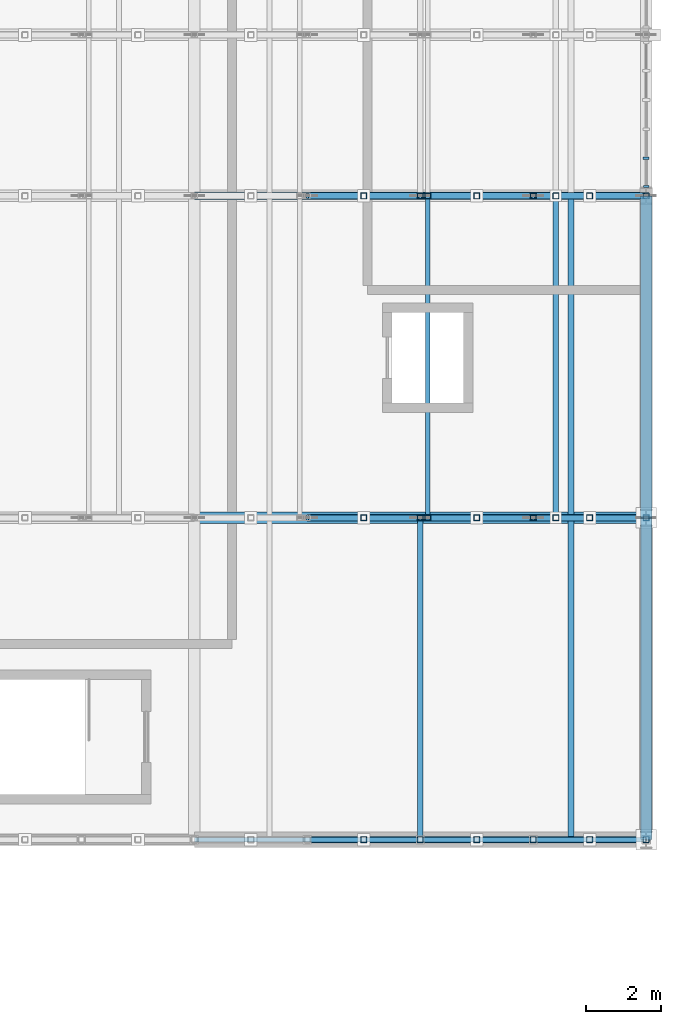
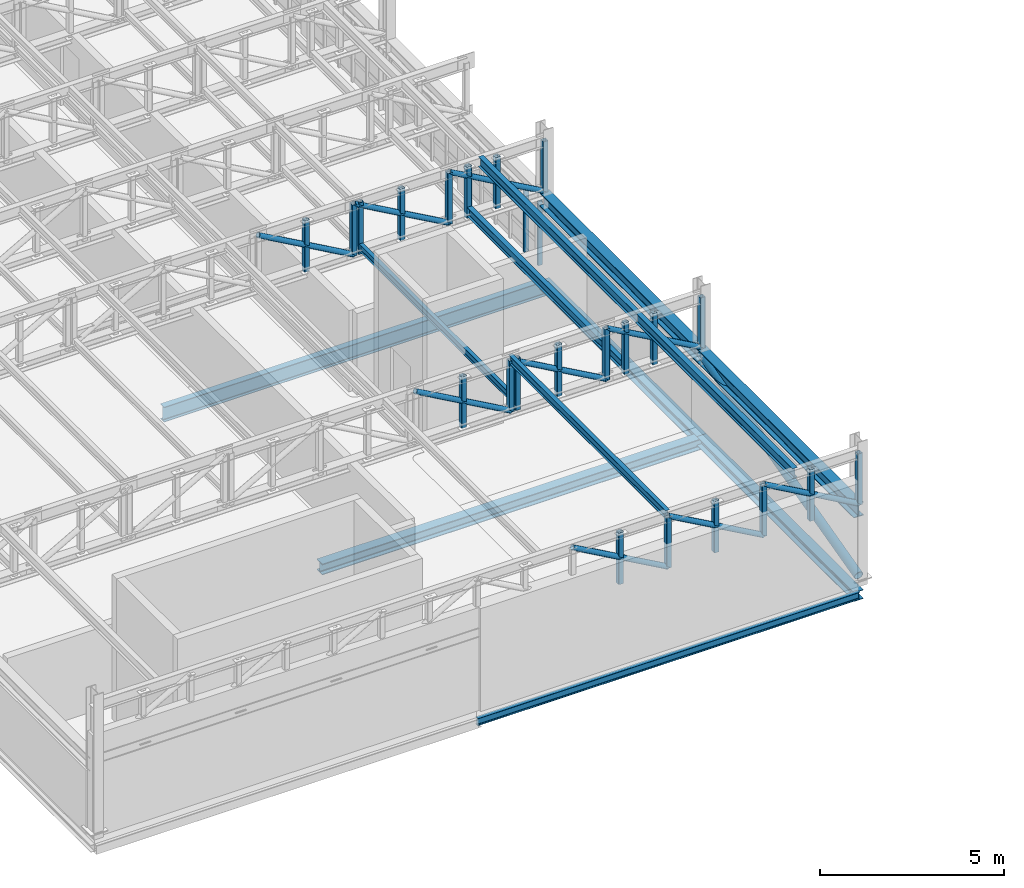
# One storey, part 36 of 128: 39 members, 7 beams, 1 element without a shape of its own.
"""IFC4 building model written with IfcOpenShell, lengths in metres."""

from ifc_helpers import new_model, si_unit, direction, frame, origin, origin_2d, place, context, subcontext, project, spatial, rectangle, hollow_rectangle, hollow_circle, i_section, extrude, material, material_profile, profile_set, type_object, element, aggregate, save


model = new_model("IFC4")

# Units and contexts
model_context = context("Model", 3, precision=1e-05, world=origin(), true_north=direction((0.0, 1.0)))
body_context = subcontext(model_context, "Body", "Model", "MODEL_VIEW")
ifc_project = project(units=[si_unit("LENGTHUNIT", "METRE"), si_unit("AREAUNIT", "SQUARE_METRE"), si_unit("VOLUMEUNIT", "CUBIC_METRE"), si_unit("PLANEANGLEUNIT", "RADIAN"), si_unit("MASSUNIT", "GRAM", prefix="KILO")], contexts=[model_context])

# Site, building, storey
site_placement = place(None, origin())
site = spatial("IfcSite", under=ifc_project, at=site_placement, CompositionType="ELEMENT")
building_placement = place(site_placement, origin())
building = spatial("IfcBuilding", under=site, at=building_placement, Name="Serraforn Aerial Cableway Station", CompositionType="ELEMENT")
storey_placement = place(building_placement, frame((0.0, 0.0, 9.0)))
storey = spatial("IfcBuildingStorey", under=building, at=storey_placement, Name="L02", CompositionType="ELEMENT", Elevation=9.0)

# Beams
ifc_material_1 = material(Name="Steel S355J2", Category="steel")
ifc_material_profile_1 = material_profile(ifc_material_1, i_section(OverallWidth=0.300048828125, OverallDepth=0.300048828125, WebThickness=0.010986328125, FlangeThickness=0.01904296875, FilletRadius=0.027099609375, at=origin_2d()), Name="HEB 300")
ifc_profile_set_1 = profile_set([ifc_material_profile_1], Name="Steel S355J2")
beam_type_1 = type_object("IfcBeamType", Name="BM-ST-HEB300", PredefinedType="BEAM", material=ifc_profile_set_1)
beam_1_placement = place(storey_placement, frame((168.0, 45.60009765625, -0.469970703125), z_axis=(0.0, 1.0, 0.0), x_axis=(-1.0, 0.0, 0.0)))
element("IfcBeam", 1, at=beam_1_placement, inside=storey, type_object=beam_type_1, Name="Grid Girder Y EG L02 X3-1", PredefinedType="BEAM", context=body_context, shape_type="SweptSolid", body=[
    extrude(i_section(OverallWidth=0.300048828125, OverallDepth=0.300048828125, WebThickness=0.010986328125, FlangeThickness=0.01904296875, FilletRadius=0.027099609375, at=origin_2d()), origin(), (0.0, 0.0, 1.0), 8.5498046875),
])
beam_2_placement = place(storey_placement, frame((168.0, 54.14990234375, -0.469970703125), z_axis=(0.0, 1.0, 0.0), x_axis=(-1.0, 0.0, 0.0)))
element("IfcBeam", 2, at=beam_2_placement, inside=storey, type_object=beam_type_1, Name="Grid Girder Y EG L02 X3-2", PredefinedType="BEAM", context=body_context, shape_type="SweptSolid", body=[
    extrude(i_section(OverallWidth=0.300048828125, OverallDepth=0.300048828125, WebThickness=0.010986328125, FlangeThickness=0.01904296875, FilletRadius=0.027099609375, at=origin_2d()), origin(), (0.0, 0.0, 1.0), 8.550048828125),
])
ifc_material_profile_2 = material_profile(ifc_material_1, i_section(OverallWidth=0.300048828125, OverallDepth=0.360107421875, WebThickness=0.012451171875, FlangeThickness=0.0224609375, FilletRadius=0.027099609375, at=origin_2d()), Name="HEB 360")
ifc_profile_set_2 = profile_set([ifc_material_profile_2], Name="Steel S355J2")
beam_type_2 = type_object("IfcBeamType", Name="BM-ST-HEB360", PredefinedType="USERDEFINED", material=ifc_profile_set_2)
beam_3_placement = place(storey_placement, frame((156.0, 54.14990234375, -0.5), z_axis=(1.0, 0.0, 0.0), x_axis=(0.0, 1.0, 0.0)))
element("IfcBeam", 3, at=beam_3_placement, inside=storey, type_object=beam_type_2, Name="Grid Girder X EG L02 Y2-2", ObjectType="GIRDER", PredefinedType="USERDEFINED", context=body_context, shape_type="SweptSolid", body=[
    extrude(i_section(OverallWidth=0.300048828125, OverallDepth=0.360107421875, WebThickness=0.012451171875, FlangeThickness=0.0224609375, FilletRadius=0.027099609375, at=origin_2d()), origin(), (0.0, 0.0, 1.0), 12.0),
])
ifc_material_profile_3 = material_profile(ifc_material_1, i_section(OverallWidth=0.300048828125, OverallDepth=0.449951171875, WebThickness=0.013916015625, FlangeThickness=0.02587890625, FilletRadius=0.027099609375, at=origin_2d()), Name="HEB 450")
ifc_profile_set_3 = profile_set([ifc_material_profile_3], Name="Steel S355J2")
beam_type_3 = type_object("IfcBeamType", Name="BM-ST-HEB450", PredefinedType="USERDEFINED", material=ifc_profile_set_3)
beam_4_placement = place(storey_placement, frame((168.0, 45.60009765625, 2.375), z_axis=(0.0, 1.0, 0.0), x_axis=(-1.0, 0.0, 0.0)))
element("IfcBeam", 4, at=beam_4_placement, inside=storey, type_object=beam_type_3, Name="Garage Truss Support Girder E-1", ObjectType="GIRDER", PredefinedType="USERDEFINED", context=body_context, shape_type="SweptSolid", body=[
    extrude(i_section(OverallWidth=0.300048828125, OverallDepth=0.449951171875, WebThickness=0.013916015625, FlangeThickness=0.02587890625, FilletRadius=0.027099609375, at=origin_2d()), origin(), (0.0, 0.0, 1.0), 8.5498046875),
])
beam_5_placement = place(storey_placement, frame((168.0, 54.14990234375, 2.375), z_axis=(0.0, 1.0, 0.0), x_axis=(-1.0, 0.0, 0.0)))
element("IfcBeam", 5, at=beam_5_placement, inside=storey, type_object=beam_type_3, Name="Garage Truss Support Girder E-2", ObjectType="GIRDER", PredefinedType="USERDEFINED", context=body_context, shape_type="SweptSolid", body=[
    extrude(i_section(OverallWidth=0.300048828125, OverallDepth=0.449951171875, WebThickness=0.013916015625, FlangeThickness=0.02587890625, FilletRadius=0.027099609375, at=origin_2d()), origin(), (0.0, 0.0, 1.0), 8.550048828125),
])
ifc_material_2 = material(Name="Steel S355JR", Category="steel")
ifc_material_profile_4 = material_profile(ifc_material_2, i_section(OverallWidth=0.1201171875, OverallDepth=0.239990234375, WebThickness=0.006103515625, FlangeThickness=0.009765625, FilletRadius=0.014892578125, at=origin_2d()), Name="IPE 240")
ifc_profile_set_4 = profile_set([ifc_material_profile_4], Name="Steel S355JR")
beam_type_4 = type_object("IfcBeamType", Name="BM-ST-IPE240", PredefinedType="SPANDREL", material=ifc_profile_set_4)
beam_6_placement = place(storey_placement, frame((156.0, 45.60009765625, -0.43994140625), z_axis=(1.0, 0.0, 0.0), x_axis=(0.0, 1.0, 0.0)))
element("IfcBeam", 6, at=beam_6_placement, inside=storey, type_object=beam_type_4, Name="Grid Girder X EG L02 Y1-2", PredefinedType="SPANDREL", context=body_context, shape_type="SweptSolid", body=[
    extrude(i_section(OverallWidth=0.1201171875, OverallDepth=0.239990234375, WebThickness=0.006103515625, FlangeThickness=0.009765625, FilletRadius=0.014892578125, at=origin_2d()), origin(), (0.0, 0.0, 1.0), 12.0),
])
ifc_material_profile_5 = material_profile(ifc_material_2, i_section(OverallWidth=0.199951171875, OverallDepth=0.5, WebThickness=0.01025390625, FlangeThickness=0.01611328125, FilletRadius=0.02099609375, at=origin_2d()), Name="IPE 500")
ifc_profile_set_5 = profile_set([ifc_material_profile_5], Name="Steel S355JR")
beam_type_5 = type_object("IfcBeamType", Name="BM-ST-IPE500", PredefinedType="USERDEFINED", material=ifc_profile_set_5)
beam_7_placement = place(storey_placement, frame((156.0, 62.699951171875, -0.570068359375), z_axis=(1.0, 0.0, 0.0), x_axis=(0.0, 1.0, 0.0)))
element("IfcBeam", 7, at=beam_7_placement, inside=storey, type_object=beam_type_5, Name="Grid Girder X EG L02 Y3-2", ObjectType="GIRDER", PredefinedType="USERDEFINED", context=body_context, shape_type="SweptSolid", body=[
    extrude(i_section(OverallWidth=0.199951171875, OverallDepth=0.5, WebThickness=0.01025390625, FlangeThickness=0.01611328125, FilletRadius=0.02099609375, at=origin_2d()), origin(), (0.0, 0.0, 1.0), 12.0),
])

# Curtain wall, members
ifc_material_3 = material(Name="Anodised bronze unitised curtain wall")
curtain_wall_type = type_object("IfcCurtainWallType", Name="CW-SYS-27", PredefinedType="USERDEFINED", material=ifc_material_3)
curtain_wall_placement = place(storey_placement, origin())
curtain_wall = element("IfcCurtainWall", 8, at=curtain_wall_placement, inside=storey, type_object=curtain_wall_type, Name="Unitised Curtain Wall CW-EG-L02-E3A", ObjectType="UNITISED CURTAIN WALL", PredefinedType="USERDEFINED")
ifc_material_4 = material(Name="Anodised bronze extruded aluminium", Category="aluminium")
ifc_material_profile_6 = material_profile(ifc_material_4, rectangle(XDim=0.054931640625, YDim=0.139892578125, at=origin_2d()), Name="CW MULLION 55x140")
ifc_profile_set_6 = profile_set([ifc_material_profile_6], Name="Anodised bronze extruded aluminium")
member_type_1 = type_object("IfcMemberType", Name="CW-MUL-1", PredefinedType="MULLION", material=ifc_profile_set_6)
member_1_placement = place(storey_placement, frame((168.0, 62.950439453125, 0.0), z_axis=(0.0, 0.0, 1.0), x_axis=(0.0, 1.0, 0.0)))
member_1 = element("IfcMember", 9, at=member_1_placement, type_object=member_type_1, Name="Curtain Wall Mullion CW-EG-L02-E3A-M1", PredefinedType="MULLION", context=body_context, shape_type="SweptSolid", body=[
    extrude(rectangle(XDim=0.054931640625, YDim=0.139892578125, at=origin_2d()), origin(), (0.0, 0.0, 1.0), 2.1201171875),
])
ifc_material_profile_7 = material_profile(ifc_material_4, rectangle(XDim=0.06005859375, YDim=0.159912109375, at=origin_2d()), Name="CW MULLION 60x160")
ifc_profile_set_7 = profile_set([ifc_material_profile_7], Name="Anodised bronze extruded aluminium")
member_type_2 = type_object("IfcMemberType", Name="CW-MUL-2", PredefinedType="MULLION", material=ifc_profile_set_7)
member_2_placement = place(storey_placement, frame((168.0, 63.697509765625, 0.0), z_axis=(0.0, 0.0, 1.0), x_axis=(0.0, 1.0, 0.0)))
member_2 = element("IfcMember", 10, at=member_2_placement, type_object=member_type_2, Name="Curtain Wall Mullion CW-EG-L02-E3A-M2", PredefinedType="MULLION", context=body_context, shape_type="SweptSolid", body=[
    extrude(rectangle(XDim=0.06005859375, YDim=0.159912109375, at=origin_2d()), origin(), (0.0, 0.0, 1.0), 2.1201171875),
])
aggregate(curtain_wall, [member_1, member_2])

# Members
ifc_material_profile_8 = material_profile(ifc_material_1, hollow_circle(Radius=0.084228515625, WallThickness=0.008056640625, at=origin_2d()), Name="CHS 168.3x8.0")
ifc_profile_set_8 = profile_set([ifc_material_profile_8], Name="Steel S355J2")
member_type_3 = type_object("IfcMemberType", Name="MEM-DG-CHS168", PredefinedType="BRACE", material=ifc_profile_set_8)
for number, where, z_axis, x_axis, name in (
    (11, (159.0, 45.60009765625, 4.2900390625), (0.871272396707, 0.0, -0.490799766439), (0.0, 1.0, 0.0), "Garage Truss GT-01 Diagonal 6"),
    (12, (162.0, 45.60009765625, 4.2900390625), (0.871272396707, 0.0, -0.490799766439), (0.0, 1.0, 0.0), "Garage Truss GT-01 Diagonal 7"),
    (13, (165.0, 45.60009765625, 4.2900390625), (0.871272396707, 0.0, -0.490799766439), (0.0, 1.0, 0.0), "Garage Truss GT-01 Diagonal 8"),
    (14, (159.0, 54.14990234375, 4.2900390625), (0.871272396707, 0.0, -0.490799766439), (0.0, 1.0, 0.0), "Garage Truss GT-02 Diagonal 6"),
    (15, (162.0, 54.14990234375, 4.2900390625), (0.871272396707, 0.0, -0.490799766439), (0.0, 1.0, 0.0), "Garage Truss GT-02 Diagonal 7"),
    (16, (165.0, 54.14990234375, 4.2900390625), (0.871272396707, 0.0, -0.490799766439), (0.0, 1.0, 0.0), "Garage Truss GT-02 Diagonal 8"),
    (17, (159.0, 62.699951171875, 4.2900390625), (0.871272396707, 0.0, -0.490799766439), (0.0, 1.0, 0.0), "Garage Truss GT-03 Diagonal 6"),
    (18, (162.0, 62.699951171875, 4.2900390625), (0.871272396707, 0.0, -0.490799766439), (0.0, 1.0, 0.0), "Garage Truss GT-03 Diagonal 7"),
    (19, (165.0, 62.699951171875, 4.2900390625), (0.871272396707, 0.0, -0.490799766439), (0.0, 1.0, 0.0), "Garage Truss GT-03 Diagonal 8"),
):
    element("IfcMember", number, at=place(storey_placement, frame(where, z_axis=z_axis, x_axis=x_axis)), inside=storey, type_object=member_type_3, Name=name, PredefinedType="BRACE", context=body_context, shape_type="SweptSolid", body=[
        extrude(hollow_circle(Radius=0.084228515625, WallThickness=0.008056640625, at=origin_2d()), origin(), (0.0, 0.0, 1.0), 3.443359375),
    ])
ifc_material_profile_9 = material_profile(ifc_material_2, i_section(OverallWidth=0.135009765625, OverallDepth=0.27001953125, WebThickness=0.006591796875, FlangeThickness=0.01025390625, FilletRadius=0.014892578125, at=origin_2d()), Name="IPE 270")
ifc_profile_set_9 = profile_set([ifc_material_profile_9], Name="Steel S355JR")
member_type_4 = type_object("IfcMemberType", Name="MEM-PR-IPE270", PredefinedType="PURLIN", material=ifc_profile_set_9)
member_3_placement = place(storey_placement, frame((162.0, 45.60009765625, 4.3349609375), z_axis=(0.0, 1.0, 0.0), x_axis=(-1.0, 0.0, 0.0)))
element("IfcMember", 20, at=member_3_placement, inside=storey, type_object=member_type_4, Name="Fleet Garage Roof Purlin 1-5", PredefinedType="PURLIN", context=body_context, shape_type="SweptSolid", body=[
    extrude(i_section(OverallWidth=0.135009765625, OverallDepth=0.27001953125, WebThickness=0.006591796875, FlangeThickness=0.01025390625, FilletRadius=0.014892578125, at=origin_2d()), origin(), (0.0, 0.0, 1.0), 8.5498046875),
])
ifc_material_profile_10 = material_profile(ifc_material_2, i_section(OverallWidth=0.159912109375, OverallDepth=0.330078125, WebThickness=0.007568359375, FlangeThickness=0.011474609375, FilletRadius=0.01806640625, at=origin_2d()), Name="IPE 330")
ifc_profile_set_10 = profile_set([ifc_material_profile_10], Name="Steel S355JR")
member_type_5 = type_object("IfcMemberType", Name="MEM-PR-IPE330", PredefinedType="PURLIN", material=ifc_profile_set_10)
member_4_placement = place(storey_placement, frame((166.0, 45.60009765625, 4.304931640625), z_axis=(0.0, 1.0, 0.0), x_axis=(-1.0, 0.0, 0.0)))
element("IfcMember", 21, at=member_4_placement, inside=storey, type_object=member_type_5, Name="Fleet Garage Roof Purlin 1-6", PredefinedType="PURLIN", context=body_context, shape_type="SweptSolid", body=[
    extrude(i_section(OverallWidth=0.159912109375, OverallDepth=0.330078125, WebThickness=0.007568359375, FlangeThickness=0.011474609375, FilletRadius=0.01806640625, at=origin_2d()), origin(), (0.0, 0.0, 1.0), 8.5498046875),
])
member_5_placement = place(storey_placement, frame((166.0, 54.14990234375, 4.304931640625), z_axis=(0.0, 1.0, 0.0), x_axis=(-1.0, 0.0, 0.0)))
element("IfcMember", 22, at=member_5_placement, inside=storey, type_object=member_type_5, Name="Fleet Garage Roof Purlin 2-6", PredefinedType="PURLIN", context=body_context, shape_type="SweptSolid", body=[
    extrude(i_section(OverallWidth=0.159912109375, OverallDepth=0.330078125, WebThickness=0.007568359375, FlangeThickness=0.011474609375, FilletRadius=0.01806640625, at=origin_2d()), origin(), (0.0, 0.0, 1.0), 8.550048828125),
])
ifc_material_profile_11 = material_profile(ifc_material_1, i_section(OverallWidth=0.1201171875, OverallDepth=0.239990234375, WebThickness=0.006103515625, FlangeThickness=0.009765625, FilletRadius=0.014892578125, at=origin_2d()), Name="IPE 240")
ifc_profile_set_11 = profile_set([ifc_material_profile_11], Name="Steel S355J2")
member_type_6 = type_object("IfcMemberType", Name="MEM-RL-IPE240", PredefinedType="USERDEFINED", material=ifc_profile_set_11)
member_6_placement = place(storey_placement, frame((162.199951171875, 54.14990234375, 2.820068359375), z_axis=(0.0, 1.0, 0.0), x_axis=(-1.0, 0.0, 0.0)))
element("IfcMember", 23, at=member_6_placement, inside=storey, type_object=member_type_6, Name="Overhead Cabin Storage Track Rail 5-1", ObjectType="OVERHEAD TRACK RAIL", PredefinedType="USERDEFINED", context=body_context, shape_type="SweptSolid", body=[
    extrude(i_section(OverallWidth=0.1201171875, OverallDepth=0.239990234375, WebThickness=0.006103515625, FlangeThickness=0.009765625, FilletRadius=0.014892578125, at=origin_2d()), origin(), (0.0, 0.0, 1.0), 8.550048828125),
])
ifc_material_profile_12 = material_profile(ifc_material_1, i_section(OverallWidth=0.14990234375, OverallDepth=0.300048828125, WebThickness=0.007080078125, FlangeThickness=0.0107421875, FilletRadius=0.014892578125, at=origin_2d()), Name="IPE 300")
ifc_profile_set_12 = profile_set([ifc_material_profile_12], Name="Steel S355J2")
member_type_7 = type_object("IfcMemberType", Name="MEM-RL-IPE300", PredefinedType="USERDEFINED", material=ifc_profile_set_12)
member_7_placement = place(storey_placement, frame((165.60009765625, 54.14990234375, 2.820068359375), z_axis=(0.0, 1.0, 0.0), x_axis=(-1.0, 0.0, 0.0)))
element("IfcMember", 24, at=member_7_placement, inside=storey, type_object=member_type_7, Name="Overhead Cabin Storage Track Rail 6-1", ObjectType="OVERHEAD TRACK RAIL", PredefinedType="USERDEFINED", context=body_context, shape_type="SweptSolid", body=[
    extrude(i_section(OverallWidth=0.14990234375, OverallDepth=0.300048828125, WebThickness=0.007080078125, FlangeThickness=0.0107421875, FilletRadius=0.014892578125, at=origin_2d()), origin(), (0.0, 0.0, 1.0), 8.550048828125),
])
ifc_material_profile_13 = material_profile(ifc_material_1, hollow_rectangle(XDim=0.159912109375, YDim=0.159912109375, WallThickness=0.008056640625, InnerFilletRadius=0.008056640625, OuterFilletRadius=0.01611328125, at=origin_2d()), Name="SHS 160x160x8.0")
ifc_profile_set_13 = profile_set([ifc_material_profile_13], Name="Steel S355J2")
member_type_8 = type_object("IfcMemberType", Name="MEM-VP-SHS160", PredefinedType="STRUT", material=ifc_profile_set_13)
for number, where, z_axis, x_axis, name in (
    (25, (162.0, 45.60009765625, 2.590087890625), (0.0, 0.0, 1.0), (1.0, 0.0, 0.0), "Garage Truss GT-01 Post 7"),
    (26, (165.0, 45.60009765625, 2.590087890625), (0.0, 0.0, 1.0), (1.0, 0.0, 0.0), "Garage Truss GT-01 Post 8"),
    (27, (168.0, 45.60009765625, 2.590087890625), (0.0, 0.0, 1.0), (1.0, 0.0, 0.0), "Garage Truss GT-01 Post 9"),
    (28, (162.0, 54.14990234375, 2.590087890625), (0.0, 0.0, 1.0), (1.0, 0.0, 0.0), "Garage Truss GT-02 Post 7"),
    (29, (165.0, 54.14990234375, 2.590087890625), (0.0, 0.0, 1.0), (1.0, 0.0, 0.0), "Garage Truss GT-02 Post 8"),
    (30, (168.0, 54.14990234375, 2.590087890625), (0.0, 0.0, 1.0), (1.0, 0.0, 0.0), "Garage Truss GT-02 Post 9"),
    (31, (162.0, 62.699951171875, 2.590087890625), (0.0, 0.0, 1.0), (1.0, 0.0, 0.0), "Garage Truss GT-03 Post 7"),
    (32, (165.0, 62.699951171875, 2.590087890625), (0.0, 0.0, 1.0), (1.0, 0.0, 0.0), "Garage Truss GT-03 Post 8"),
    (33, (168.0, 62.699951171875, 2.590087890625), (0.0, 0.0, 1.0), (1.0, 0.0, 0.0), "Garage Truss GT-03 Post 9"),
    (34, (162.199951171875, 54.14990234375, 2.590087890625), (0.0, 0.0, 1.0), (1.0, 0.0, 0.0), "Overhead Rail Suspension Post 005"),
    (35, (165.60009765625, 54.14990234375, 2.590087890625), (0.0, 0.0, 1.0), (1.0, 0.0, 0.0), "Overhead Rail Suspension Post 006"),
    (36, (162.199951171875, 62.699951171875, 2.590087890625), (0.0, 0.0, 1.0), (1.0, 0.0, 0.0), "Overhead Rail Suspension Post 011"),
    (37, (165.60009765625, 62.699951171875, 2.590087890625), (0.0, 0.0, 1.0), (1.0, 0.0, 0.0), "Overhead Rail Suspension Post 012"),
    (38, (160.5, 45.60009765625, 2.590087890625), (0.0, 0.0, 1.0), (1.0, 0.0, 0.0), "Garage Truss GT-01 Sub-Vertical 6"),
    (39, (163.5, 45.60009765625, 2.590087890625), (0.0, 0.0, 1.0), (1.0, 0.0, 0.0), "Garage Truss GT-01 Sub-Vertical 7"),
    (40, (166.5, 45.60009765625, 2.590087890625), (0.0, 0.0, 1.0), (1.0, 0.0, 0.0), "Garage Truss GT-01 Sub-Vertical 8"),
    (41, (160.5, 54.14990234375, 2.590087890625), (0.0, 0.0, 1.0), (1.0, 0.0, 0.0), "Garage Truss GT-02 Sub-Vertical 6"),
    (42, (163.5, 54.14990234375, 2.590087890625), (0.0, 0.0, 1.0), (1.0, 0.0, 0.0), "Garage Truss GT-02 Sub-Vertical 7"),
    (43, (166.5, 54.14990234375, 2.590087890625), (0.0, 0.0, 1.0), (1.0, 0.0, 0.0), "Garage Truss GT-02 Sub-Vertical 8"),
    (44, (160.5, 62.699951171875, 2.590087890625), (0.0, 0.0, 1.0), (1.0, 0.0, 0.0), "Garage Truss GT-03 Sub-Vertical 6"),
    (45, (163.5, 62.699951171875, 2.590087890625), (0.0, 0.0, 1.0), (1.0, 0.0, 0.0), "Garage Truss GT-03 Sub-Vertical 7"),
    (46, (166.5, 62.699951171875, 2.590087890625), (0.0, 0.0, 1.0), (1.0, 0.0, 0.0), "Garage Truss GT-03 Sub-Vertical 8"),
):
    element("IfcMember", number, at=place(storey_placement, frame(where, z_axis=z_axis, x_axis=x_axis)), inside=storey, type_object=member_type_8, Name=name, PredefinedType="STRUT", context=body_context, shape_type="SweptSolid", body=[
        extrude(hollow_rectangle(XDim=0.159912109375, YDim=0.159912109375, WallThickness=0.008056640625, InnerFilletRadius=0.008056640625, OuterFilletRadius=0.01611328125, at=origin_2d()), origin(), (0.0, 0.0, 1.0), 1.7099609375),
    ])
ifc_material_profile_14 = material_profile(ifc_material_1, hollow_circle(Radius=0.136474609375, WallThickness=0.012451171875, at=origin_2d()), Name="CHS 273.0x12.5")
ifc_profile_set_14 = profile_set([ifc_material_profile_14], Name="Steel S355J2")
member_type_9 = type_object("IfcMemberType", Name="MEM-WB-CHS273", PredefinedType="BRACE", material=ifc_profile_set_14)
member_8_placement = place(storey_placement, frame((168.0, 45.60009765625, 0.199951171875), z_axis=(0.0, 0.968453853148, 0.24919296604), x_axis=(-1.0, 0.0, 0.0)))
element("IfcMember", 47, at=member_8_placement, inside=storey, type_object=member_type_9, Name="High-Level Lateral Wind Brace 6", PredefinedType="BRACE", context=body_context, shape_type="SweptSolid", body=[
    extrude(hollow_circle(Radius=0.136474609375, WallThickness=0.012451171875, at=origin_2d()), origin(), (0.0, 0.0, 1.0), 8.828369140625),
])

save(model, "model.ifc")
